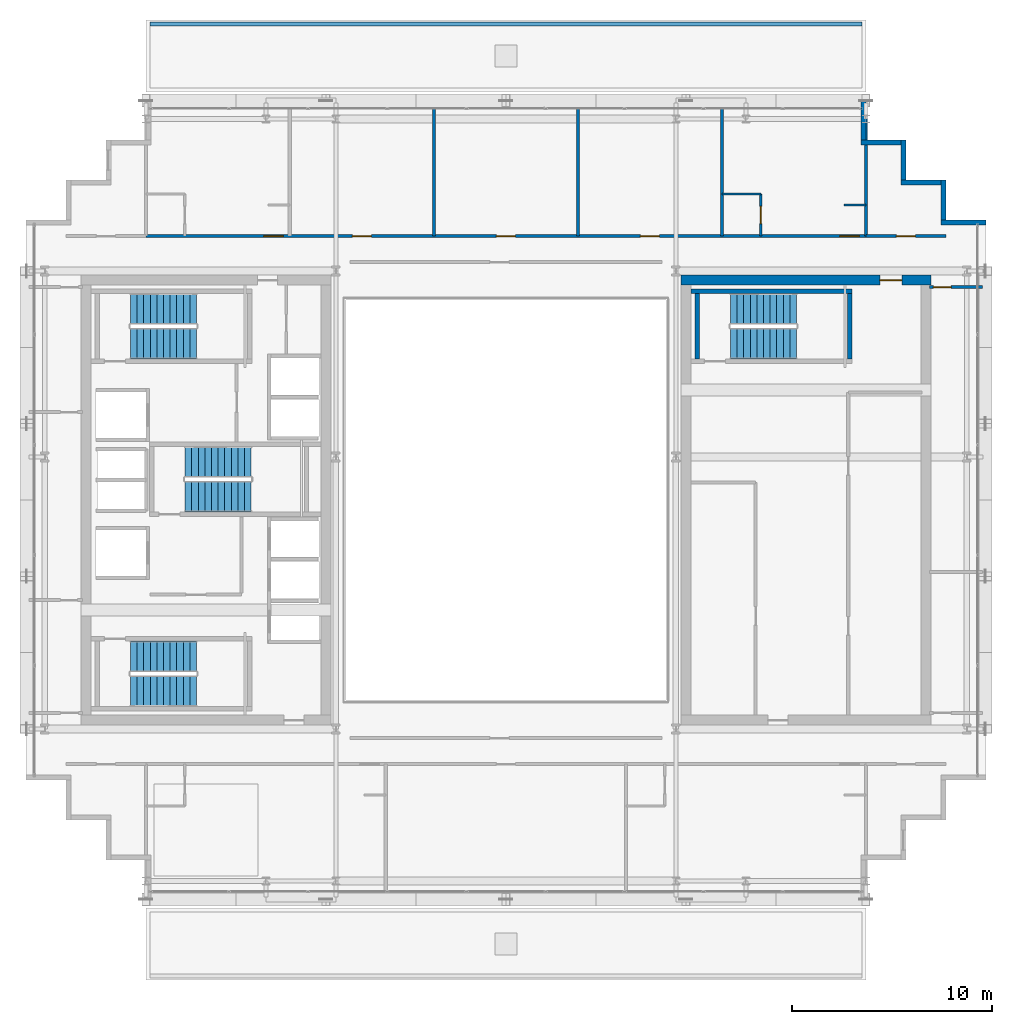
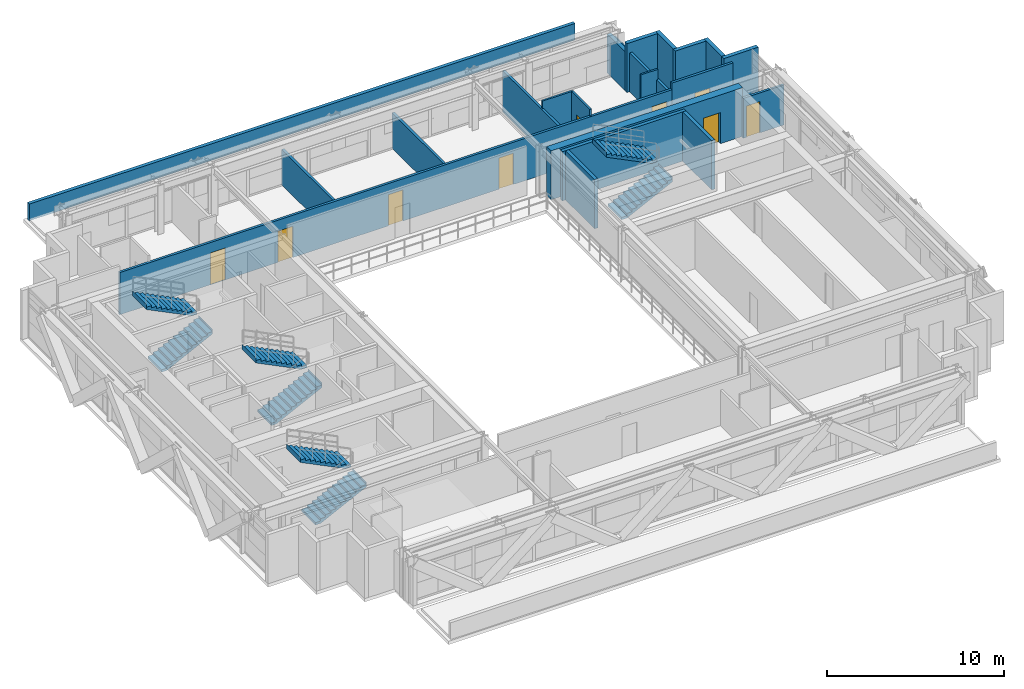
# One storey, part 30 of 34: 21 walls, 9 doors, 8 stair flights, 9 openings, 4 elements without a shape of their own.
"""IFC4 building model written with IfcOpenShell, lengths in metres."""

from ifc_helpers import new_model, si_unit, direction, frame, frame_2d, origin, place, context, subcontext, project, spatial, polyline, rectangle, outline, extrude, source, transform, mapped, material, layer, layer_set, type_object, element, fill, aggregate, save


model = new_model("IFC4")

# Units and contexts
model_context = context("Model", 3, precision=1e-05, world=origin(), true_north=direction((0.0, 1.0)))
body_context = subcontext(model_context, "Body", "Model", "MODEL_VIEW")
ifc_project = project(units=[si_unit("LENGTHUNIT", "METRE"), si_unit("AREAUNIT", "SQUARE_METRE"), si_unit("VOLUMEUNIT", "CUBIC_METRE"), si_unit("PLANEANGLEUNIT", "RADIAN"), si_unit("MASSUNIT", "GRAM", prefix="KILO")], contexts=[model_context])

# Site, building, storey
site_placement = place(None, origin())
site = spatial("IfcSite", under=ifc_project, at=site_placement, CompositionType="ELEMENT")
building_placement = place(site_placement, origin())
building = spatial("IfcBuilding", under=site, at=building_placement, Name="Ocotamira Hotel", CompositionType="ELEMENT")
storey_placement = place(building_placement, frame((0.0, 0.0, 163.199951171875)))
storey = spatial("IfcBuildingStorey", under=building, at=storey_placement, Name="L40", CompositionType="ELEMENT", Elevation=163.199951171875)

# Wall, opening, door
ifc_material_1 = material(Name="Concrete C50/60", Category="concrete")
ifc_layer_1 = layer(ifc_material_1, 0.5)
ifc_layer_set_1 = layer_set([ifc_layer_1], Name="Concrete C50/60")
wall_type_1 = type_object("IfcWallType", Name="WL-CORE-500", PredefinedType="SHEAR", material=ifc_layer_set_1)
wall_1_placement = place(storey_placement, frame((40.75, 37.0, 0.0), z_axis=(0.0, 0.0, 1.0), x_axis=(1.0, 0.0, 0.0)))
wall_1 = element("IfcWall", 1, at=wall_1_placement, inside=storey, type_object=wall_type_1, Name="L40 Shear Core Wall ECORE-N", PredefinedType="SHEAR", context=body_context, shape_type="SweptSolid", body=[
    extrude(rectangle(XDim=12.5, YDim=0.5, at=frame_2d((6.25, 0.0))), origin(), (0.0, 0.0, 1.0), 3.3701171875),
])
opening_1_placement = place(wall_1_placement, frame((9.949951171875, 0.0, 0.0)))
opening_1 = element("IfcOpeningElement", 2, at=opening_1_placement, cuts=wall_1, Name="Opening D-FR1", PredefinedType="OPENING", context=body_context, shape_type="SweptSolid", body=[
    extrude(rectangle(XDim=1.10009765625, YDim=2.14990234375, at=frame_2d((0.550048828125, 1.074951171875))), frame((0.0, 0.260009765625, 0.0), z_axis=(0.0, -1.0, 0.0), x_axis=(1.0, 0.0, 0.0)), (0.0, 0.0, 1.0), 0.52001953125),
])
ifc_material_2 = material(Name="Fire-rated acoustic timber-veneer door", Category="wood")
door_type_1 = type_object("IfcDoorType", Name="DR-FIRE-1100", OperationType="NOTDEFINED", PredefinedType="DOOR", material=ifc_material_2)
shared_shape_1 = source(origin(), body_context, "Body", "SweptSolid", [
    extrude(rectangle(XDim=1.10009765625, YDim=2.14990234375, at=frame_2d((0.550048828125, 1.074951171875))), frame((0.0, 0.02490234375, 0.0), z_axis=(0.0, -1.0, 0.0), x_axis=(1.0, 0.0, 0.0)), (0.0, 0.0, 1.0), 0.050048828125),
])
door_1_placement = place(opening_1_placement, origin())
door_1 = element("IfcDoor", 3, at=door_1_placement, inside=storey, type_object=door_type_1, Name="L40 Door ID-L40-ELOB-N-D [ID-L40-ELOB-N-D]", OperationType="SINGLE_SWING_LEFT", OverallHeight=2.14990234375, OverallWidth=1.10009765625, PredefinedType="DOOR", context=body_context, shape_type="MappedRepresentation", body=[
    mapped(shared_shape_1, transform((0.0, 0.0, 0.0), scale=1.0)),
])
fill(opening_1, door_1)

# Walls
ifc_material_3 = material(Name="Precast concrete C45/55", Category="concrete")
ifc_layer_2 = layer(ifc_material_3, 0.25)
ifc_layer_set_2 = layer_set([ifc_layer_2], Name="Precast concrete C45/55")
wall_type_2 = type_object("IfcWallType", Name="WL-EXT-SER-250", PredefinedType="SOLIDWALL", material=ifc_layer_set_2)
wall_2_placement = place(storey_placement, frame((56.0, 39.875, 0.0), z_axis=(0.0, 0.0, 1.0), x_axis=(-1.0, 0.0, 0.0)))
element("IfcWall", 4, at=wall_2_placement, inside=storey, type_object=wall_type_2, Name="L40 Serrated Corner Wall 07", PredefinedType="SOLIDWALL", context=body_context, shape_type="SweptSolid", body=[
    extrude(rectangle(XDim=2.25, YDim=0.25, at=frame_2d((1.125, 0.0))), origin(), (0.0, 0.0, 1.0), 3.3701171875),
])
for number, where, z_axis, x_axis, name in (
    (5, (53.875, 40.0, 0.0), (0.0, 0.0, 1.0), (0.0, 1.0, 0.0), "L40 Serrated Corner Wall 08"),
    (6, (53.75, 41.875, 0.0), (0.0, 0.0, 1.0), (-1.0, 0.0, 0.0), "L40 Serrated Corner Wall 09"),
    (7, (51.875, 42.0, 0.0), (0.0, 0.0, 1.0), (0.0, 1.0, 0.0), "L40 Serrated Corner Wall 10"),
    (8, (51.75, 43.875, 0.0), (0.0, 0.0, 1.0), (-1.0, 0.0, 0.0), "L40 Serrated Corner Wall 11"),
):
    element("IfcWall", number, at=place(storey_placement, frame(where, z_axis=z_axis, x_axis=x_axis)), inside=storey, type_object=wall_type_2, Name=name, PredefinedType="SOLIDWALL", context=body_context, shape_type="SweptSolid", body=[
        extrude(rectangle(XDim=2.0, YDim=0.25, at=frame_2d((1.0, 0.0))), origin(), (0.0, 0.0, 1.0), 3.3701171875),
    ])
wall_3_placement = place(storey_placement, frame((49.875, 44.0, 0.0), z_axis=(0.0, 0.0, 1.0), x_axis=(0.0, 1.0, 0.0)))
element("IfcWall", 9, at=wall_3_placement, inside=storey, type_object=wall_type_2, Name="L40 Serrated Corner Wall 12", PredefinedType="SOLIDWALL", context=body_context, shape_type="SweptSolid", body=[
    extrude(rectangle(XDim=2.0, YDim=0.25, at=frame_2d((1.0, 0.0))), origin(), (0.0, 0.0, 1.0), 2.677001953125),
])

# Wall, opening, door
ifc_material_4 = material(Name="Acoustic double-layer fire gypsum board partition", Category="gypsum")
ifc_layer_3 = layer(ifc_material_4, 0.159912109375)
ifc_layer_set_3 = layer_set([ifc_layer_3], Name="Acoustic double-layer fire gypsum board partition")
wall_type_3 = type_object("IfcWallType", Name="WL-FIRE-160", PredefinedType="PARTITIONING", material=ifc_layer_set_3)
wall_4_placement = place(storey_placement, frame((50.0, 39.199951171875, 0.0), z_axis=(0.0, 0.0, 1.0), x_axis=(1.0, 0.0, 0.0)))
wall_4 = element("IfcWall", 10, at=wall_4_placement, inside=storey, type_object=wall_type_3, Name="L40 Interior Wall PW-L40-Z3D-CNE-CW", PredefinedType="PARTITIONING", context=body_context, shape_type="SweptSolid", body=[
    extrude(rectangle(XDim=4.0, YDim=0.159912109375, at=frame_2d((2.0, 0.0))), origin(), (0.0, 0.0, 1.0), 3.3701171875),
])
opening_2_placement = place(wall_4_placement, frame((1.52001953125, 0.0, 0.0)))
opening_2 = element("IfcOpeningElement", 11, at=opening_2_placement, cuts=wall_4, Name="Opening D-SV4", PredefinedType="OPENING", context=body_context, shape_type="SweptSolid", body=[
    extrude(rectangle(XDim=0.9599609375, YDim=2.14990234375, at=frame_2d((0.47998046875, 1.074951171875))), frame((0.0, 0.08984375, 0.0), z_axis=(0.0, -1.0, 0.0), x_axis=(1.0, 0.0, 0.0)), (0.0, 0.0, 1.0), 0.179931640625),
])
ifc_material_5 = material(Name="Fire-rated accessible walnut salon door", Category="wood")
door_type_2 = type_object("IfcDoorType", Name="DR-SERV-960", OperationType="NOTDEFINED", PredefinedType="DOOR", material=ifc_material_5)
shared_shape_2 = source(origin(), body_context, "Body", "SweptSolid", [
    extrude(rectangle(XDim=0.9599609375, YDim=2.14990234375, at=frame_2d((0.47998046875, 1.074951171875))), frame((0.0, 0.02490234375, 0.0), z_axis=(0.0, -1.0, 0.0), x_axis=(1.0, 0.0, 0.0)), (0.0, 0.0, 1.0), 0.050048828125),
])
door_2_placement = place(opening_2_placement, origin())
door_2 = element("IfcDoor", 12, at=door_2_placement, inside=storey, type_object=door_type_2, Name="L40 Door ID-L40-Z3D-CNE-CD [ID-L40-Z3D-CNE-CD]", OperationType="SINGLE_SWING_LEFT", OverallHeight=2.14990234375, OverallWidth=0.9599609375, PredefinedType="DOOR", context=body_context, shape_type="MappedRepresentation", body=[
    mapped(shared_shape_2, transform((0.0, 0.0, 0.0), scale=1.0)),
])
fill(opening_2, door_2)

# Wall, openings, doors
wall_5_placement = place(storey_placement, frame((14.0, 39.199951171875, 0.0), z_axis=(0.0, 0.0, 1.0), x_axis=(1.0, 0.0, 0.0)))
wall_5 = element("IfcWall", 13, at=wall_5_placement, inside=storey, type_object=wall_type_3, Name="L40 Interior Wall PW-L40-Z3DN-CORRW", PredefinedType="PARTITIONING", context=body_context, shape_type="SweptSolid", body=[
    extrude(rectangle(XDim=36.0, YDim=0.159912109375, at=frame_2d((18.0, 0.0))), origin(), (0.0, 0.0, 1.0), 2.9130859375),
])
opening_3_placement = place(wall_5_placement, frame((5.89990234375, 0.0, 0.0)))
opening_3 = element("IfcOpeningElement", 14, at=opening_3_placement, cuts=wall_5, Name="Opening D-GR2", PredefinedType="OPENING", context=body_context, shape_type="SweptSolid", body=[
    extrude(rectangle(XDim=0.97998046875, YDim=2.199951171875, at=frame_2d((0.489990234375, 1.10009765625))), frame((0.0, 0.08984375, 0.0), z_axis=(0.0, -1.0, 0.0), x_axis=(1.0, 0.0, 0.0)), (0.0, 0.0, 1.0), 0.179931640625),
])
opening_4_placement = place(wall_5_placement, frame((10.320068359375, 0.0, 0.0)))
opening_4 = element("IfcOpeningElement", 15, at=opening_4_placement, cuts=wall_5, Name="Opening D-SV4", PredefinedType="OPENING", context=body_context, shape_type="SweptSolid", body=[
    extrude(rectangle(XDim=0.9599609375, YDim=2.14990234375, at=frame_2d((0.47998046875, 1.074951171875))), frame((0.0, 0.08984375, 0.0), z_axis=(0.0, -1.0, 0.0), x_axis=(1.0, 0.0, 0.0)), (0.0, 0.0, 1.0), 0.179931640625),
])
opening_5_placement = place(wall_5_placement, frame((17.52001953125, 0.0, 0.0)))
opening_5 = element("IfcOpeningElement", 16, at=opening_5_placement, cuts=wall_5, Name="Opening D-SV4", PredefinedType="OPENING", context=body_context, shape_type="SweptSolid", body=[
    extrude(rectangle(XDim=0.9599609375, YDim=2.14990234375, at=frame_2d((0.47998046875, 1.074951171875))), frame((0.0, 0.08984375, 0.0), z_axis=(0.0, -1.0, 0.0), x_axis=(1.0, 0.0, 0.0)), (0.0, 0.0, 1.0), 0.179931640625),
])
opening_6_placement = place(wall_5_placement, frame((24.719970703125, 0.0, 0.0)))
opening_6 = element("IfcOpeningElement", 17, at=opening_6_placement, cuts=wall_5, Name="Opening D-SV4", PredefinedType="OPENING", context=body_context, shape_type="SweptSolid", body=[
    extrude(rectangle(XDim=0.9599609375, YDim=2.14990234375, at=frame_2d((0.47998046875, 1.074951171875))), frame((0.0, 0.08984375, 0.0), z_axis=(0.0, -1.0, 0.0), x_axis=(1.0, 0.0, 0.0)), (0.0, 0.0, 1.0), 0.179931640625),
])
opening_7_placement = place(wall_5_placement, frame((34.699951171875, 0.0, 0.0)))
opening_7 = element("IfcOpeningElement", 18, at=opening_7_placement, cuts=wall_5, Name="Opening D-GR2", PredefinedType="OPENING", context=body_context, shape_type="SweptSolid", body=[
    extrude(rectangle(XDim=0.97998046875, YDim=2.199951171875, at=frame_2d((0.489990234375, 1.10009765625))), frame((0.0, 0.08984375, 0.0), z_axis=(0.0, -1.0, 0.0), x_axis=(1.0, 0.0, 0.0)), (0.0, 0.0, 1.0), 0.179931640625),
])
door_3_placement = place(opening_4_placement, origin())
door_3 = element("IfcDoor", 19, at=door_3_placement, inside=storey, type_object=door_type_2, Name="L40 Door ID-L40-Z3DN-AMD2 [ID-L40-Z3DN-AMD2]", OperationType="SINGLE_SWING_RIGHT", OverallHeight=2.14990234375, OverallWidth=0.9599609375, PredefinedType="DOOR", context=body_context, shape_type="MappedRepresentation", body=[
    mapped(shared_shape_2, transform((0.0, 0.0, 0.0), scale=1.0)),
])
fill(opening_4, door_3)
door_4_placement = place(opening_5_placement, origin())
door_4 = element("IfcDoor", 20, at=door_4_placement, inside=storey, type_object=door_type_2, Name="L40 Door ID-L40-Z3DN-AMD3 [ID-L40-Z3DN-AMD3]", OperationType="SINGLE_SWING_LEFT", OverallHeight=2.14990234375, OverallWidth=0.9599609375, PredefinedType="DOOR", context=body_context, shape_type="MappedRepresentation", body=[
    mapped(shared_shape_2, transform((0.0, 0.0, 0.0), scale=1.0)),
])
fill(opening_5, door_4)
door_5_placement = place(opening_6_placement, origin())
door_5 = element("IfcDoor", 21, at=door_5_placement, inside=storey, type_object=door_type_2, Name="L40 Door ID-L40-Z3DN-AMD4 [ID-L40-Z3DN-AMD4]", OperationType="SINGLE_SWING_RIGHT", OverallHeight=2.14990234375, OverallWidth=0.9599609375, PredefinedType="DOOR", context=body_context, shape_type="MappedRepresentation", body=[
    mapped(shared_shape_2, transform((0.0, 0.0, 0.0), scale=1.0)),
])
fill(opening_6, door_5)
ifc_material_6 = material(Name="Solid-core walnut grand-suite entrance fire door", Category="wood")
door_type_3 = type_object("IfcDoorType", Name="DR-GUEST-980", OperationType="NOTDEFINED", PredefinedType="DOOR", material=ifc_material_6)
shared_shape_3 = source(origin(), body_context, "Body", "SweptSolid", [
    extrude(rectangle(XDim=0.97998046875, YDim=2.199951171875, at=frame_2d((0.489990234375, 1.10009765625))), frame((0.0, 0.02490234375, 0.0), z_axis=(0.0, -1.0, 0.0), x_axis=(1.0, 0.0, 0.0)), (0.0, 0.0, 1.0), 0.050048828125),
])
door_6_placement = place(opening_3_placement, origin())
door_6 = element("IfcDoor", 22, at=door_6_placement, inside=storey, type_object=door_type_3, Name="L40 Door ID-L40-Z3DN-RMD1 [ID-L40-Z3DN-RMD1]", OperationType="SINGLE_SWING_LEFT", OverallHeight=2.199951171875, OverallWidth=0.97998046875, PredefinedType="DOOR", context=body_context, shape_type="MappedRepresentation", body=[
    mapped(shared_shape_3, transform((0.0, 0.0, 0.0), scale=1.0)),
])
fill(opening_3, door_6)
door_7_placement = place(opening_7_placement, origin())
door_7 = element("IfcDoor", 23, at=door_7_placement, inside=storey, type_object=door_type_3, Name="L40 Door ID-L40-Z3DN-RMD5 [ID-L40-Z3DN-RMD5]", OperationType="SINGLE_SWING_LEFT", OverallHeight=2.199951171875, OverallWidth=0.97998046875, PredefinedType="DOOR", context=body_context, shape_type="MappedRepresentation", body=[
    mapped(shared_shape_3, transform((0.0, 0.0, 0.0), scale=1.0)),
])
fill(opening_7, door_7)

# Wall
ifc_layer_4 = layer(ifc_material_3, 0.219970703125)
ifc_layer_set_4 = layer_set([ifc_layer_4], Name="Precast concrete C45/55")
wall_type_4 = type_object("IfcWallType", Name="WL-PARA-220", PredefinedType="PARAPET", material=ifc_layer_set_4)
wall_6_placement = place(storey_placement, frame((14.199951171875, 49.800048828125, 0.0), z_axis=(0.0, 0.0, 1.0), x_axis=(1.0, 0.0, 0.0)))
element("IfcWall", 24, at=wall_6_placement, inside=storey, type_object=wall_type_4, Name="L40 Roof Parapet Wall Z3N", PredefinedType="PARAPET", context=body_context, shape_type="SweptSolid", body=[
    extrude(rectangle(XDim=35.60009765625, YDim=0.219970703125, at=frame_2d((17.800048828125, 0.0))), origin(), (0.0, 0.0, 1.0), 1.150146484375),
])

# Wall, opening, door
ifc_material_7 = material(Name="Moisture-resistant en-suite tile and gypsum partition", Category="gypsum")
ifc_layer_5 = layer(ifc_material_7, 0.1201171875)
ifc_layer_set_5 = layer_set([ifc_layer_5], Name="Moisture-resistant en-suite tile and gypsum partition")
wall_type_5 = type_object("IfcWallType", Name="WL-PART-120", PredefinedType="PARTITIONING", material=ifc_layer_set_5)
wall_7_placement = place(storey_placement, frame((44.75, 39.199951171875, 0.0), z_axis=(0.0, 0.0, 1.0), x_axis=(0.0, 1.0, 0.0)))
wall_7 = element("IfcWall", 25, at=wall_7_placement, inside=storey, type_object=wall_type_5, Name="L40 Interior Wall PW-L40-Z3DN-BAE5", PredefinedType="PARTITIONING", context=body_context, shape_type="SweptSolid", body=[
    extrude(rectangle(XDim=2.10009765625, YDim=0.1201171875, at=frame_2d((1.050048828125, 0.0))), origin(), (0.0, 0.0, 1.0), 3.3701171875),
])
opening_8_placement = place(wall_7_placement, frame((0.6201171875, 0.0, 0.0)))
opening_8 = element("IfcOpeningElement", 26, at=opening_8_placement, cuts=wall_7, Name="Opening D-BA1", PredefinedType="OPENING", context=body_context, shape_type="SweptSolid", body=[
    extrude(rectangle(XDim=0.860107421875, YDim=2.10009765625, at=frame_2d((0.43017578125, 1.050048828125))), frame((0.0, 0.070068359375, 0.0), z_axis=(0.0, -1.0, 0.0), x_axis=(1.0, 0.0, 0.0)), (0.0, 0.0, 1.0), 0.14013671875),
])
ifc_material_8 = material(Name="Moisture-sealed en-suite timber door", Category="wood")
door_type_4 = type_object("IfcDoorType", Name="DR-BATH-860", OperationType="NOTDEFINED", PredefinedType="DOOR", material=ifc_material_8)
shared_shape_4 = source(origin(), body_context, "Body", "SweptSolid", [
    extrude(rectangle(XDim=0.860107421875, YDim=2.10009765625, at=frame_2d((0.43017578125, 1.050048828125))), frame((0.0, 0.02490234375, 0.0), z_axis=(0.0, -1.0, 0.0), x_axis=(1.0, 0.0, 0.0)), (0.0, 0.0, 1.0), 0.050048828125),
])
door_8_placement = place(opening_8_placement, origin())
door_8 = element("IfcDoor", 27, at=door_8_placement, inside=storey, type_object=door_type_4, Name="L40 Door ID-L40-Z3DN-BAD5 [ID-L40-Z3DN-BAD5]", OperationType="SINGLE_SWING_RIGHT", OverallHeight=2.10009765625, OverallWidth=0.860107421875, PredefinedType="DOOR", context=body_context, shape_type="MappedRepresentation", body=[
    mapped(shared_shape_4, transform((0.0, 0.0, 0.0), scale=1.0)),
])
fill(opening_8, door_8)

# Walls
wall_8_placement = place(storey_placement, frame((42.800048828125, 41.300048828125, 0.0), z_axis=(0.0, 0.0, 1.0), x_axis=(1.0, 0.0, 0.0)))
element("IfcWall", 28, at=wall_8_placement, inside=storey, type_object=wall_type_5, Name="L40 Interior Wall PW-L40-Z3DN-BAN5", PredefinedType="PARTITIONING", context=body_context, shape_type="SweptSolid", body=[
    extrude(rectangle(XDim=1.949951171875, YDim=0.1201171875, at=frame_2d((0.97509765625, 0.0))), origin(), (0.0, 0.0, 1.0), 3.3701171875),
])
wall_9_placement = place(storey_placement, frame((48.89990234375, 40.75, 0.0), z_axis=(0.0, 0.0, 1.0), x_axis=(1.0, 0.0, 0.0)))
element("IfcWall", 29, at=wall_9_placement, inside=storey, type_object=wall_type_5, Name="L40 Interior Wall PW-L40-Z3DN-DRN5", PredefinedType="PARTITIONING", context=body_context, shape_type="SweptSolid", body=[
    extrude(rectangle(XDim=1.10009765625, YDim=0.1201171875, at=frame_2d((0.550048828125, 0.0))), origin(), (0.0, 0.0, 1.0), 3.3701171875),
])

# Wall, opening, door
ifc_material_9 = material(Name="Acoustic hospitality gypsum board partition", Category="gypsum")
ifc_layer_6 = layer(ifc_material_9, 0.14990234375)
ifc_layer_set_6 = layer_set([ifc_layer_6], Name="Acoustic hospitality gypsum board partition")
wall_type_6 = type_object("IfcWallType", Name="WL-PART-150", PredefinedType="PARTITIONING", material=ifc_layer_set_6)
wall_10_placement = place(storey_placement, frame((53.179931640625, 36.639892578125, 0.0), z_axis=(0.0, 0.0, 1.0), x_axis=(1.0, 0.0, 0.0)))
wall_10 = element("IfcWall", 30, at=wall_10_placement, inside=storey, type_object=wall_type_6, Name="L40 Interior Wall PW-L40-Z3D-EF-WN", PredefinedType="PARTITIONING", context=body_context, shape_type="SweptSolid", body=[
    extrude(rectangle(XDim=2.66015625, YDim=0.14990234375, at=frame_2d((1.330078125, 0.0))), origin(), (0.0, 0.0, 1.0), 2.7529296875),
])
opening_9_placement = place(wall_10_placement, frame((0.199951171875, 0.0, 0.0)))
opening_9 = element("IfcOpeningElement", 31, at=opening_9_placement, cuts=wall_10, Name="Opening D-SV2", PredefinedType="OPENING", context=body_context, shape_type="SweptSolid", body=[
    extrude(rectangle(XDim=0.8798828125, YDim=2.14990234375, at=frame_2d((0.43994140625, 1.074951171875))), frame((0.0, 0.0849609375, 0.0), z_axis=(0.0, -1.0, 0.0), x_axis=(1.0, 0.0, 0.0)), (0.0, 0.0, 1.0), 0.169921875),
])
ifc_material_10 = material(Name="Fire-rated painted steel service door", Category="steel")
door_type_5 = type_object("IfcDoorType", Name="DR-SERV-880", OperationType="NOTDEFINED", PredefinedType="DOOR", material=ifc_material_10)
shared_shape_5 = source(origin(), body_context, "Body", "SweptSolid", [
    extrude(rectangle(XDim=0.8798828125, YDim=2.14990234375, at=frame_2d((0.43994140625, 1.074951171875))), frame((0.0, 0.02490234375, 0.0), z_axis=(0.0, -1.0, 0.0), x_axis=(1.0, 0.0, 0.0)), (0.0, 0.0, 1.0), 0.050048828125),
])
door_9_placement = place(opening_9_placement, origin())
door_9 = element("IfcDoor", 32, at=door_9_placement, inside=storey, type_object=door_type_5, Name="L40 Door ID-L40-Z3D-EF-DN [ID-L40-Z3D-EF-DN]", OperationType="SINGLE_SWING_LEFT", OverallHeight=2.14990234375, OverallWidth=0.8798828125, PredefinedType="DOOR", context=body_context, shape_type="MappedRepresentation", body=[
    mapped(shared_shape_5, transform((0.0, 0.0, 0.0), scale=1.0)),
])
fill(opening_9, door_9)

# Walls
ifc_material_11 = material(Name="Acoustic double-stud hospitality gypsum partition", Category="gypsum")
ifc_layer_7 = layer(ifc_material_11, 0.159912109375)
ifc_layer_set_7 = layer_set([ifc_layer_7], Name="Acoustic double-stud hospitality gypsum partition")
wall_type_7 = type_object("IfcWallType", Name="WL-PART-160", PredefinedType="PARTITIONING", material=ifc_layer_set_7)
wall_11_placement = place(storey_placement, frame((50.0, 39.199951171875, 0.0), z_axis=(0.0, 0.0, 1.0), x_axis=(0.0, 1.0, 0.0)))
element("IfcWall", 33, at=wall_11_placement, inside=storey, type_object=wall_type_7, Name="L40 Interior Wall PW-L40-Z3DN-PWEND", PredefinedType="PARTITIONING", context=body_context, shape_type="SweptSolid", body=[
    extrude(rectangle(XDim=6.43994140625, YDim=0.159912109375, at=frame_2d((3.219970703125, 0.0))), origin(), (0.0, 0.0, 1.0), 2.677001953125),
])
for number, where, z_axis, x_axis, name in (
    (34, (28.39990234375, 39.199951171875, 0.0), (0.0, 0.0, 1.0), (0.0, 1.0, 0.0), "L40 Interior Wall PW-L40-Z3DN-PW2"),
    (35, (35.60009765625, 39.199951171875, 0.0), (0.0, 0.0, 1.0), (0.0, 1.0, 0.0), "L40 Interior Wall PW-L40-Z3DN-PW3"),
):
    element("IfcWall", number, at=place(storey_placement, frame(where, z_axis=z_axis, x_axis=x_axis)), inside=storey, type_object=wall_type_7, Name=name, PredefinedType="PARTITIONING", context=body_context, shape_type="SweptSolid", body=[
        extrude(rectangle(XDim=6.43994140625, YDim=0.159912109375, at=frame_2d((3.219970703125, 0.0))), origin(), (0.0, 0.0, 1.0), 2.443115234375),
    ])
wall_12_placement = place(storey_placement, frame((42.800048828125, 39.199951171875, 0.0), z_axis=(0.0, 0.0, 1.0), x_axis=(0.0, 1.0, 0.0)))
element("IfcWall", 36, at=wall_12_placement, inside=storey, type_object=wall_type_7, Name="L40 Interior Wall PW-L40-Z3DN-PW4", PredefinedType="PARTITIONING", context=body_context, shape_type="SweptSolid", body=[
    extrude(rectangle(XDim=6.43994140625, YDim=0.159912109375, at=frame_2d((3.219970703125, 0.0))), origin(), (0.0, 0.0, 1.0), 2.8330078125),
])
ifc_layer_8 = layer(ifc_material_1, 0.219970703125)
ifc_layer_set_8 = layer_set([ifc_layer_8], Name="Concrete C50/60")
wall_type_8 = type_object("IfcWallType", Name="WL-STAIR-220", PredefinedType="SHEAR", material=ifc_layer_set_8)
wall_13_placement = place(storey_placement, frame((41.25, 36.43994140625, 0.0), z_axis=(0.0, 0.0, 1.0), x_axis=(1.0, 0.0, 0.0)))
element("IfcWall", 37, at=wall_13_placement, inside=storey, type_object=wall_type_8, Name="L40 Stair Shaft Structural Wall ST-4-N", PredefinedType="SHEAR", context=body_context, shape_type="SweptSolid", body=[
    extrude(rectangle(XDim=8.06005859375, YDim=0.219970703125, at=frame_2d((4.030029296875, 0.0))), origin(), (0.0, 0.0, 1.0), 3.400146484375),
])
for number, where, z_axis, x_axis, name in (
    (38, (41.56005859375, 33.050048828125, 0.0), (0.0, 0.0, 1.0), (0.0, 1.0, 0.0), "L40 Stair Shaft Structural Wall ST-4-W"),
    (39, (49.199951171875, 33.050048828125, 0.0), (0.0, 0.0, 1.0), (0.0, 1.0, 0.0), "L40 Stair Shaft Structural Wall ST-4-E"),
):
    element("IfcWall", number, at=place(storey_placement, frame(where, z_axis=z_axis, x_axis=x_axis)), inside=storey, type_object=wall_type_8, Name=name, PredefinedType="SHEAR", context=body_context, shape_type="SweptSolid", body=[
        extrude(rectangle(XDim=3.280029296875, YDim=0.219970703125, at=frame_2d((1.64013671875, 0.0))), origin(), (0.0, 0.0, 1.0), 3.400146484375),
    ])

# Stair, stair flights
ifc_material_12 = material(Name="Concrete C40/50", Category="concrete")
stair_type = type_object("IfcStairType", Name="ST-CORE-1560", PredefinedType="HALF_TURN_STAIR", material=ifc_material_12)
stair_1_placement = place(storey_placement, origin())
stair_1 = element("IfcStair", 40, at=stair_1_placement, inside=storey, type_object=stair_type, Name="L40 Exit Stair ST-1", PredefinedType="HALF_TURN_STAIR")
stair_flight_type = type_object("IfcStairFlightType", Name="STF-CORE-1560", PredefinedType="STRAIGHT", material=ifc_material_12)
shared_shape_6 = source(origin(), body_context, "Body", "SweptSolid", [
    extrude(outline(polyline([(-0.00390625, 0.0), (-0.00390625, 0.16357421875), (0.330078125, 0.16357421875), (0.330078125, 0.327392578125), (0.659912109375, 0.327392578125), (0.659912109375, 0.490966796875), (0.989990234375, 0.490966796875), (0.989990234375, 0.654541015625), (1.320068359375, 0.654541015625), (1.320068359375, 0.818115234375), (1.64990234375, 0.818115234375), (1.64990234375, 0.98193359375), (1.97998046875, 0.98193359375), (1.97998046875, 1.1455078125), (2.31005859375, 1.1455078125), (2.31005859375, 1.30908203125), (2.639892578125, 1.30908203125), (2.639892578125, 1.47265625), (2.969970703125, 1.47265625), (2.969970703125, 1.636474609375), (3.300048828125, 1.636474609375), (3.300048828125, 1.800048828125), (3.303955078125, 1.800048828125), (3.303955078125, 1.468994140625), (0.33740234375, 0.0), (-0.00390625, 0.0)])), frame((0.0, 0.780029296875, 0.0), z_axis=(0.0, -1.0, 0.0), x_axis=(1.0, 0.0, 0.0)), (0.0, 0.0, 1.0), 1.56005859375),
])
stair_flight_1_placement = place(storey_placement, frame((13.22998046875, 16.449951171875, 0.0), z_axis=(0.0, 0.0, 1.0), x_axis=(1.0, 0.0, 0.0)))
stair_flight_1 = element("IfcStairFlight", 41, at=stair_flight_1_placement, type_object=stair_flight_type, Name="ST-1 flight 1", NumberOfRisers=11, NumberOfTreads=10, PredefinedType="STRAIGHT", RiserHeight=0.163636364, TreadLength=0.33, context=body_context, shape_type="MappedRepresentation", body=[
    mapped(shared_shape_6, transform((0.0, 0.0, 0.0), scale=1.0)),
])
stair_flight_2_placement = place(storey_placement, frame((16.530029296875, 18.169921875, 1.800048828125), z_axis=(0.0, 0.0, 1.0), x_axis=(-1.0, 0.0, 0.0)))
stair_flight_2 = element("IfcStairFlight", 42, at=stair_flight_2_placement, type_object=stair_flight_type, Name="ST-1 flight 2", NumberOfRisers=11, NumberOfTreads=10, PredefinedType="STRAIGHT", RiserHeight=0.163636364, TreadLength=0.33, context=body_context, shape_type="MappedRepresentation", body=[
    mapped(shared_shape_6, transform((0.0, 0.0, 0.0), scale=1.0)),
])
aggregate(stair_1, [stair_flight_1, stair_flight_2])

stair_2_placement = place(storey_placement, origin())
stair_2 = element("IfcStair", 43, at=stair_2_placement, inside=storey, type_object=stair_type, Name="L40 Exit Stair ST-2", PredefinedType="HALF_TURN_STAIR")
stair_flight_3_placement = place(storey_placement, frame((13.22998046875, 33.830078125, 0.0), z_axis=(0.0, 0.0, 1.0), x_axis=(1.0, 0.0, 0.0)))
stair_flight_3 = element("IfcStairFlight", 44, at=stair_flight_3_placement, type_object=stair_flight_type, Name="ST-2 flight 1", NumberOfRisers=11, NumberOfTreads=10, PredefinedType="STRAIGHT", RiserHeight=0.163636364, TreadLength=0.33, context=body_context, shape_type="MappedRepresentation", body=[
    mapped(shared_shape_6, transform((0.0, 0.0, 0.0), scale=1.0)),
])
stair_flight_4_placement = place(storey_placement, frame((16.530029296875, 35.550048828125, 1.800048828125), z_axis=(0.0, 0.0, 1.0), x_axis=(-1.0, 0.0, 0.0)))
stair_flight_4 = element("IfcStairFlight", 45, at=stair_flight_4_placement, type_object=stair_flight_type, Name="ST-2 flight 2", NumberOfRisers=11, NumberOfTreads=10, PredefinedType="STRAIGHT", RiserHeight=0.163636364, TreadLength=0.33, context=body_context, shape_type="MappedRepresentation", body=[
    mapped(shared_shape_6, transform((0.0, 0.0, 0.0), scale=1.0)),
])
aggregate(stair_2, [stair_flight_3, stair_flight_4])

stair_3_placement = place(storey_placement, origin())
stair_3 = element("IfcStair", 46, at=stair_3_placement, inside=storey, type_object=stair_type, Name="L40 Exit Stair ST-3", PredefinedType="HALF_TURN_STAIR")
stair_flight_5_placement = place(storey_placement, frame((15.9599609375, 26.179931640625, 0.0), z_axis=(0.0, 0.0, 1.0), x_axis=(1.0, 0.0, 0.0)))
stair_flight_5 = element("IfcStairFlight", 47, at=stair_flight_5_placement, type_object=stair_flight_type, Name="ST-3 flight 1", NumberOfRisers=11, NumberOfTreads=10, PredefinedType="STRAIGHT", RiserHeight=0.163636364, TreadLength=0.33, context=body_context, shape_type="MappedRepresentation", body=[
    mapped(shared_shape_6, transform((0.0, 0.0, 0.0), scale=1.0)),
])
stair_flight_6_placement = place(storey_placement, frame((19.260009765625, 27.89990234375, 1.800048828125), z_axis=(0.0, 0.0, 1.0), x_axis=(-1.0, 0.0, 0.0)))
stair_flight_6 = element("IfcStairFlight", 48, at=stair_flight_6_placement, type_object=stair_flight_type, Name="ST-3 flight 2", NumberOfRisers=11, NumberOfTreads=10, PredefinedType="STRAIGHT", RiserHeight=0.163636364, TreadLength=0.33, context=body_context, shape_type="MappedRepresentation", body=[
    mapped(shared_shape_6, transform((0.0, 0.0, 0.0), scale=1.0)),
])
aggregate(stair_3, [stair_flight_5, stair_flight_6])

stair_4_placement = place(storey_placement, origin())
stair_4 = element("IfcStair", 49, at=stair_4_placement, inside=storey, type_object=stair_type, Name="L40 Exit Stair ST-4", PredefinedType="HALF_TURN_STAIR")
stair_flight_7_placement = place(storey_placement, frame((43.22998046875, 33.830078125, 0.0), z_axis=(0.0, 0.0, 1.0), x_axis=(1.0, 0.0, 0.0)))
stair_flight_7 = element("IfcStairFlight", 50, at=stair_flight_7_placement, type_object=stair_flight_type, Name="ST-4 flight 1", NumberOfRisers=11, NumberOfTreads=10, PredefinedType="STRAIGHT", RiserHeight=0.163636364, TreadLength=0.33, context=body_context, shape_type="MappedRepresentation", body=[
    mapped(shared_shape_6, transform((0.0, 0.0, 0.0), scale=1.0)),
])
stair_flight_8_placement = place(storey_placement, frame((46.530029296875, 35.550048828125, 1.800048828125), z_axis=(0.0, 0.0, 1.0), x_axis=(-1.0, 0.0, 0.0)))
stair_flight_8 = element("IfcStairFlight", 51, at=stair_flight_8_placement, type_object=stair_flight_type, Name="ST-4 flight 2", NumberOfRisers=11, NumberOfTreads=10, PredefinedType="STRAIGHT", RiserHeight=0.163636364, TreadLength=0.33, context=body_context, shape_type="MappedRepresentation", body=[
    mapped(shared_shape_6, transform((0.0, 0.0, 0.0), scale=1.0)),
])
aggregate(stair_4, [stair_flight_7, stair_flight_8])

save(model, "model.ifc")
